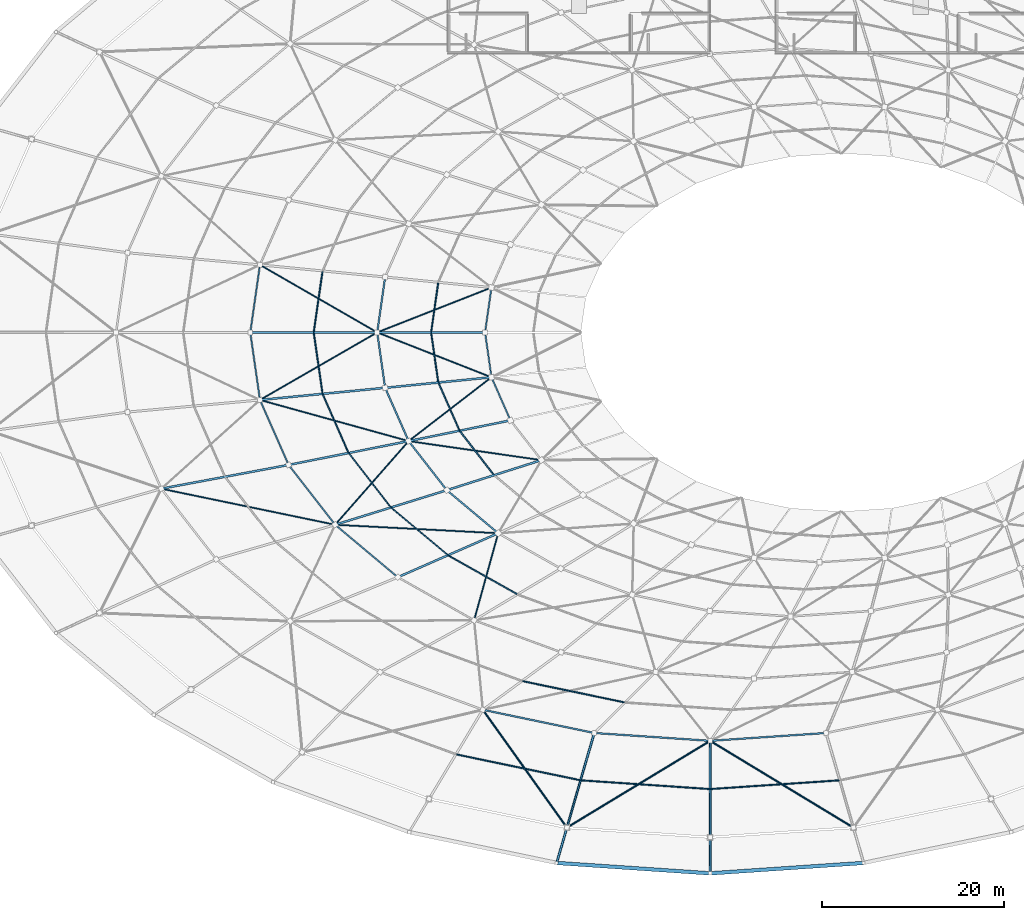
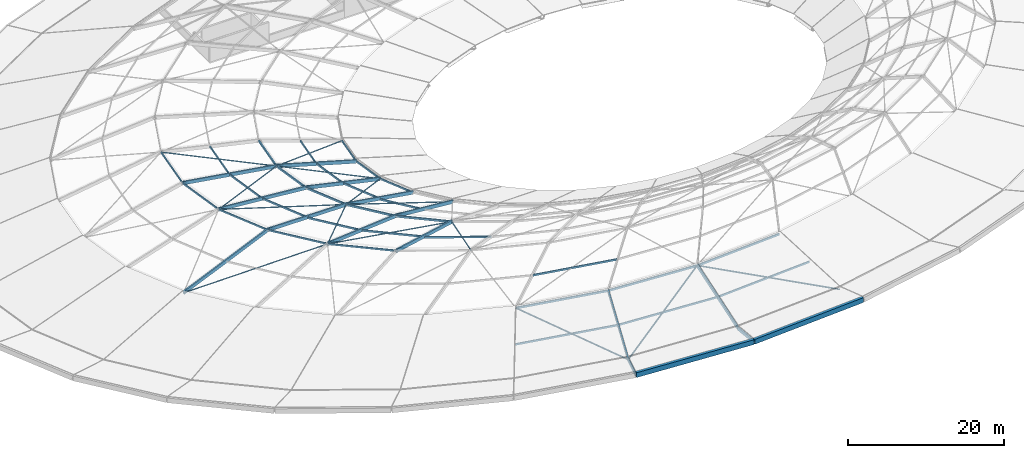
# One storey, part 2 of 30: 58 members, 2 beams.
"""IFC4 building model written with IfcOpenShell, lengths in metres."""

from ifc_helpers import new_model, si_unit, direction, frame, origin, origin_2d, place, context, subcontext, project, spatial, rectangle, hollow_rectangle, hollow_circle, extrude, material, material_profile, profile_set, type_object, element, save


model = new_model("IFC4")

# Units and contexts
model_context = context("Model", 3, precision=1e-05, world=origin(), true_north=direction((0.0, 1.0)))
body_context = subcontext(model_context, "Body", "Model", "MODEL_VIEW")
ifc_project = project(units=[si_unit("LENGTHUNIT", "METRE"), si_unit("AREAUNIT", "SQUARE_METRE"), si_unit("VOLUMEUNIT", "CUBIC_METRE"), si_unit("PLANEANGLEUNIT", "RADIAN"), si_unit("MASSUNIT", "GRAM", prefix="KILO")], contexts=[model_context])

# Site, building, storey
site_placement = place(None, origin())
site = spatial("IfcSite", under=ifc_project, at=site_placement, CompositionType="ELEMENT")
building_placement = place(site_placement, origin())
building = spatial("IfcBuilding", under=site, at=building_placement, Name="Namkhue Oval Health Centre", CompositionType="ELEMENT")
storey_placement = place(building_placement, frame((0.0, 0.0, 26.39990234375)))
storey = spatial("IfcBuildingStorey", under=building, at=storey_placement, Name="RF", CompositionType="ELEMENT", Elevation=26.39990234375)

# Beams
ifc_material_1 = material(Name="Precast architectural concrete C35/45 (TCVN B40)", Category="concrete")
ifc_material_profile_1 = material_profile(ifc_material_1, rectangle(XDim=0.39990234375, YDim=0.75, at=origin_2d()), Name="RC 400x750")
ifc_profile_set_1 = profile_set([ifc_material_profile_1], Name="Precast architectural concrete C35/45 (TCVN B40)")
beam_type = type_object("IfcBeamType", Name="CONCRETE EDGE BAND 400X750", PredefinedType="SPANDREL", material=ifc_profile_set_1)
beam_1_placement = place(storey_placement, frame((69.583984375, 1.138671875, 0.7001953125), z_axis=(0.997715229273, -0.067559760777, 0.0), x_axis=(0.067559760777, 0.997715229273, 0.0)))
element("IfcBeam", 1, at=beam_1_placement, inside=storey, type_object=beam_type, Name="Elliptical Roof Concrete Fascia Band 24", PredefinedType="SPANDREL", context=body_context, shape_type="SweptSolid", body=[
    extrude(rectangle(XDim=0.39990234375, YDim=0.75, at=origin_2d()), origin(), (0.0, 0.0, 1.0), 16.814453125),
])
beam_2_placement = place(storey_placement, frame((86.43994140625, 0.002685546875, 0.7001953125), z_axis=(0.997715163, 0.067560739492, 0.0), x_axis=(-0.067560739492, 0.997715163, 0.0)))
element("IfcBeam", 2, at=beam_2_placement, inside=storey, type_object=beam_type, Name="Elliptical Roof Concrete Fascia Band 25", PredefinedType="SPANDREL", context=body_context, shape_type="SweptSolid", body=[
    extrude(rectangle(XDim=0.39990234375, YDim=0.75, at=origin_2d()), origin(), (0.0, 0.0, 1.0), 16.814208984375),
])

# Members
ifc_material_2 = material(Name="Structural steel EN 10025-2 S355JR (TCVN 5575:2024)", Category="steel")
ifc_material_profile_2 = material_profile(ifc_material_2, hollow_circle(Radius=0.084228515625, WallThickness=0.008056640625, at=origin_2d()), Name="CHS 168.3x8")
ifc_profile_set_2 = profile_set([ifc_material_profile_2], Name="Structural steel EN 10025-2 S355JR (TCVN 5575:2024)")
member_type_1 = type_object("IfcMemberType", Name="DIAGONAL BRACE CHS 168", PredefinedType="BRACE", material=ifc_profile_set_2)
member_1_placement = place(storey_placement, frame((26.162353515625, 42.231689453125, 3.785400390625), z_axis=(0.96461481097, -0.200015827341, 0.171790381773), x_axis=(0.203034230378, 0.979171640365, 0.0)))
element("IfcMember", 3, at=member_1_placement, inside=storey, type_object=member_type_1, Name="Gridshell Diagonal Brace K2-19", PredefinedType="BRACE", context=body_context, shape_type="SweptSolid", body=[
    extrude(hollow_circle(Radius=0.084228515625, WallThickness=0.008056640625, at=origin_2d()), origin(), (0.0, 0.0, 1.0), 19.72998046875),
])
for number, where, z_axis, x_axis, name in (
    (4, (36.9921875, 66.8017578125, 7.17578125), (0.857142443104, -0.49381288488, -0.146477530548), (0.499197227373, 0.866488388949, 0.0), "Gridshell Diagonal Brace K3-16"),
    (5, (36.9921875, 51.998291015625, 7.17578125), (0.857142443104, 0.49381288488, -0.146477530548), (-0.499197227373, 0.866488388949, 0.0), "Gridshell Diagonal Brace K3-17"),
):
    element("IfcMember", number, at=place(storey_placement, frame(where, z_axis=z_axis, x_axis=x_axis)), inside=storey, type_object=member_type_1, Name=name, PredefinedType="BRACE", context=body_context, shape_type="SweptSolid", body=[
        extrude(hollow_circle(Radius=0.084228515625, WallThickness=0.008056640625, at=origin_2d()), origin(), (0.0, 0.0, 1.0), 14.958984375),
    ])
member_2_placement = place(storey_placement, frame((36.9951171875, 51.9755859375, 7.17626953125), z_axis=(0.955760701137, -0.264448449947, -0.128796348873), x_axis=(0.266669523158, 0.963788029298, 0.0)))
element("IfcMember", 6, at=member_2_placement, inside=storey, type_object=member_type_1, Name="Gridshell Diagonal Brace K3-18", PredefinedType="BRACE", context=body_context, shape_type="SweptSolid", body=[
    extrude(hollow_circle(Radius=0.084228515625, WallThickness=0.008056640625, at=origin_2d()), origin(), (0.0, 0.0, 1.0), 17.02197265625),
])
member_3_placement = place(storey_placement, frame((45.242431640625, 38.301513671875, 7.1748046875), z_axis=(0.64952649671, 0.739430252396, -0.177082556773), x_axis=(-0.751303857929, 0.659956447852, 0.0)))
element("IfcMember", 7, at=member_3_placement, inside=storey, type_object=member_type_1, Name="Gridshell Diagonal Brace K3-19", PredefinedType="BRACE", context=body_context, shape_type="SweptSolid", body=[
    extrude(hollow_circle(Radius=0.084228515625, WallThickness=0.008056640625, at=origin_2d()), origin(), (0.0, 0.0, 1.0), 12.364013671875),
])
member_4_placement = place(storey_placement, frame((45.252685546875, 38.27783203125, 7.176513671875), z_axis=(0.991216082885, -0.051523272568, -0.121803240571), x_axis=(0.051909778984, 0.998651778572, 0.0)))
element("IfcMember", 8, at=member_4_placement, inside=storey, type_object=member_type_1, Name="Gridshell Diagonal Brace K3-20", PredefinedType="BRACE", context=body_context, shape_type="SweptSolid", body=[
    extrude(hollow_circle(Radius=0.084228515625, WallThickness=0.008056640625, at=origin_2d()), origin(), (0.0, 0.0, 1.0), 18.00146484375),
])
member_5_placement = place(storey_placement, frame((60.487060546875, 27.819091796875, 7.173583984375), z_axis=(0.260516530536, 0.940866957629, -0.216565245039), x_axis=(-0.963738252264, 0.266849360358, 0.0)))
element("IfcMember", 9, at=member_5_placement, inside=storey, type_object=member_type_1, Name="Gridshell Diagonal Brace K3-21", PredefinedType="BRACE", context=body_context, shape_type="SweptSolid", body=[
    extrude(hollow_circle(Radius=0.084228515625, WallThickness=0.008056640625, at=origin_2d()), origin(), (0.0, 0.0, 1.0), 10.0986328125),
])
for number, where, z_axis, x_axis, name in (
    (10, (49.8671875, 59.41064453125, 4.972900390625), (0.902559017702, 0.354327269751, -0.24462094243), (-0.365429459542, 0.930839035547, 0.0), "Gridshell Diagonal Brace K4-16"),
    (11, (49.8671875, 59.389404296875, 4.972900390625), (0.902559017702, -0.354327269751, -0.24462094243), (0.365429459542, 0.930839035547, 0.0), "Gridshell Diagonal Brace K4-17"),
):
    element("IfcMember", number, at=place(storey_placement, frame(where, z_axis=z_axis, x_axis=x_axis)), inside=storey, type_object=member_type_1, Name=name, PredefinedType="BRACE", context=body_context, shape_type="SweptSolid", body=[
        extrude(hollow_circle(Radius=0.084228515625, WallThickness=0.008056640625, at=origin_2d()), origin(), (0.0, 0.0, 1.0), 13.83984375),
    ])
member_6_placement = place(storey_placement, frame((53.315673828125, 47.483642578125, 4.9716796875), z_axis=(0.759403511791, 0.585378236617, -0.283969410985), x_axis=(-0.610510932695, 0.792007828913, 0.0)))
element("IfcMember", 12, at=member_6_placement, inside=storey, type_object=member_type_1, Name="Gridshell Diagonal Brace K4-18", PredefinedType="BRACE", context=body_context, shape_type="SweptSolid", body=[
    extrude(hollow_circle(Radius=0.084228515625, WallThickness=0.008056640625, at=origin_2d()), origin(), (0.0, 0.0, 1.0), 11.91357421875),
])
member_7_placement = place(storey_placement, frame((53.32177734375, 47.4619140625, 4.973388671875), z_axis=(0.964486507247, -0.138383904479, -0.224979270866), x_axis=(0.142024919211, 0.989863082615, 0.0)))
element("IfcMember", 13, at=member_7_placement, inside=storey, type_object=member_type_1, Name="Gridshell Diagonal Brace K4-19", PredefinedType="BRACE", context=body_context, shape_type="SweptSolid", body=[
    extrude(hollow_circle(Radius=0.084228515625, WallThickness=0.008056640625, at=origin_2d()), origin(), (0.0, 0.0, 1.0), 15.052490234375),
])
ifc_material_profile_3 = material_profile(ifc_material_2, hollow_circle(Radius=0.109619140625, WallThickness=0.010009765625, at=origin_2d()), Name="CHS 219.1x10")
ifc_profile_set_3 = profile_set([ifc_material_profile_3], Name="Structural steel EN 10025-2 S355JR (TCVN 5575:2024)")
member_type_2 = type_object("IfcMemberType", Name="DIAGONAL BRACE CHS 219", PredefinedType="BRACE", material=ifc_profile_set_3)
member_8_placement = place(storey_placement, frame((70.65087890625, 5.049072265625, 0.28662109375), z_axis=(-0.567118199003, 0.795073490057, 0.215023472601), x_axis=(-0.81411658814, -0.580701455926, 0.0)))
element("IfcMember", 14, at=member_8_placement, inside=storey, type_object=member_type_2, Name="Gridshell Diagonal Brace K1-23", PredefinedType="BRACE", context=body_context, shape_type="SweptSolid", body=[
    extrude(hollow_circle(Radius=0.109619140625, WallThickness=0.010009765625, at=origin_2d()), origin(), (0.0, 0.0, 1.0), 16.217041015625),
])
for number, where, z_axis, x_axis, name in (
    (15, (70.693115234375, 5.04052734375, 0.28564453125), (0.840286545616, 0.508891932751, 0.186942563471), (-0.518024262543, 0.855365923694, 0.0), "Gridshell Diagonal Brace K1-24"),
    (16, (102.10693359375, 5.04052734375, 0.28564453125), (-0.840286545616, 0.508891932751, 0.186942563471), (-0.518024262543, -0.855365923694, 0.0), "Gridshell Diagonal Brace K1-25"),
):
    element("IfcMember", number, at=place(storey_placement, frame(where, z_axis=z_axis, x_axis=x_axis)), inside=storey, type_object=member_type_2, Name=name, PredefinedType="BRACE", context=body_context, shape_type="SweptSolid", body=[
        extrude(hollow_circle(Radius=0.109619140625, WallThickness=0.010009765625, at=origin_2d()), origin(), (0.0, 0.0, 1.0), 18.662353515625),
    ])
ifc_material_3 = material(Name="Glulam timber GL28h", Category="wood")
ifc_material_profile_4 = material_profile(ifc_material_3, rectangle(XDim=0.199951171875, YDim=0.47998046875, at=origin_2d()), Name="GL28h 200x480")
ifc_profile_set_4 = profile_set([ifc_material_profile_4], Name="Glulam timber GL28h")
member_type_3 = type_object("IfcMemberType", Name="GRIDSHELL ARCH RIB GL28H 200X480", PredefinedType="USERDEFINED", material=ifc_profile_set_4)
member_9_placement = place(storey_placement, frame((70.66796875, 5.025146484375, 0.300048828125), z_axis=(0.264415561893, 0.913943197849, 0.307883487272), x_axis=(-0.960605504985, 0.277915569541, 0.0)))
element("IfcMember", 17, at=member_9_placement, inside=storey, type_object=member_type_3, Name="Gridshell Glulam Arch Rib K1-24", ObjectType="ARCH_SEGMENT", PredefinedType="USERDEFINED", context=body_context, shape_type="SweptSolid", body=[
    extrude(rectangle(XDim=0.199951171875, YDim=0.47998046875, at=origin_2d()), origin(), (0.0, 0.0, 1.0), 11.367919921875),
])
member_10_placement = place(storey_placement, frame((86.39990234375, 3.9599609375, 0.300048828125), z_axis=(0.0, 0.949513771196, 0.313725354903), x_axis=(-1.0, 0.0, 0.0)))
element("IfcMember", 18, at=member_10_placement, inside=storey, type_object=member_type_3, Name="Gridshell Glulam Arch Rib K1-25", ObjectType="ARCH_SEGMENT", PredefinedType="USERDEFINED", context=body_context, shape_type="SweptSolid", body=[
    extrude(rectangle(XDim=0.199951171875, YDim=0.47998046875, at=origin_2d()), origin(), (0.0, 0.0, 1.0), 11.15625),
])
ifc_material_profile_5 = material_profile(ifc_material_3, rectangle(XDim=0.219970703125, YDim=0.52001953125, at=origin_2d()), Name="GL28h 220x520")
ifc_profile_set_5 = profile_set([ifc_material_profile_5], Name="Glulam timber GL28h")
member_type_4 = type_object("IfcMemberType", Name="GRIDSHELL ARCH RIB GL28H 220X520", PredefinedType="USERDEFINED", material=ifc_profile_set_5)
member_11_placement = place(storey_placement, frame((35.904052734375, 59.39990234375, 7.2001953125), z_axis=(0.987765490696, 0.0, -0.155946578644), x_axis=(0.0, 1.0, 0.0)))
element("IfcMember", 19, at=member_11_placement, inside=storey, type_object=member_type_4, Name="Gridshell Glulam Arch Rib K3-17", ObjectType="ARCH_SEGMENT", PredefinedType="USERDEFINED", context=body_context, shape_type="SweptSolid", body=[
    extrude(rectangle(XDim=0.219970703125, YDim=0.52001953125, at=origin_2d()), origin(), (0.0, 0.0, 1.0), 14.108642578125),
])
member_12_placement = place(storey_placement, frame((49.840087890625, 59.39990234375, 5.0), z_axis=(0.961156622117, 0.0, -0.27600352853), x_axis=(0.0, 1.0, 0.0)))
element("IfcMember", 20, at=member_12_placement, inside=storey, type_object=member_type_4, Name="Gridshell Glulam Arch Rib K4-17", ObjectType="ARCH_SEGMENT", PredefinedType="USERDEFINED", context=body_context, shape_type="SweptSolid", body=[
    extrude(rectangle(XDim=0.219970703125, YDim=0.52001953125, at=origin_2d()), origin(), (0.0, 0.0, 1.0), 12.318359375),
])
member_13_placement = place(storey_placement, frame((36.966552734375, 51.9833984375, 7.2001953125), z_axis=(0.98293473803, 0.095308005949, -0.15733939359), x_axis=(-0.096510078646, 0.995332007282, 0.0)))
element("IfcMember", 21, at=member_13_placement, inside=storey, type_object=member_type_4, Name="Gridshell Glulam Arch Rib K3-18", ObjectType="ARCH_SEGMENT", PredefinedType="USERDEFINED", context=body_context, shape_type="SweptSolid", body=[
    extrude(rectangle(XDim=0.219970703125, YDim=0.52001953125, at=origin_2d()), origin(), (0.0, 0.0, 1.0), 13.983642578125),
])
member_14_placement = place(storey_placement, frame((50.711669921875, 53.316162109375, 5.0), z_axis=(0.955779592894, 0.094866361634, -0.278362611064), x_axis=(-0.098770147269, 0.995110274296, 0.0)))
element("IfcMember", 22, at=member_14_placement, inside=storey, type_object=member_type_4, Name="Gridshell Glulam Arch Rib K4-18", ObjectType="ARCH_SEGMENT", PredefinedType="USERDEFINED", context=body_context, shape_type="SweptSolid", body=[
    extrude(rectangle(XDim=0.219970703125, YDim=0.52001953125, at=origin_2d()), origin(), (0.0, 0.0, 1.0), 12.2138671875),
])
member_15_placement = place(storey_placement, frame((26.133544921875, 42.23779296875, 3.800048828125), z_axis=(0.956019968589, 0.17876538253, 0.232526896656), x_axis=(-0.183803441064, 0.982963018151, 0.0)))
element("IfcMember", 23, at=member_15_placement, inside=storey, type_object=member_type_4, Name="Gridshell Glulam Arch Rib K2-19", ObjectType="ARCH_SEGMENT", PredefinedType="USERDEFINED", context=body_context, shape_type="SweptSolid", body=[
    extrude(rectangle(XDim=0.219970703125, YDim=0.52001953125, at=origin_2d()), origin(), (0.0, 0.0, 1.0), 14.62255859375),
])
member_16_placement = place(storey_placement, frame((40.113037109375, 44.851806640625, 7.2001953125), z_axis=(0.967997903629, 0.192007290161, -0.161595974872), x_axis=(-0.194564450492, 0.980889736211, 0.0)))
element("IfcMember", 24, at=member_16_placement, inside=storey, type_object=member_type_4, Name="Gridshell Glulam Arch Rib K3-19", ObjectType="ARCH_SEGMENT", PredefinedType="USERDEFINED", context=body_context, shape_type="SweptSolid", body=[
    extrude(rectangle(XDim=0.219970703125, YDim=0.52001953125, at=origin_2d()), origin(), (0.0, 0.0, 1.0), 13.615478515625),
])
member_17_placement = place(storey_placement, frame((53.292724609375, 47.466064453125, 5.0), z_axis=(0.939157476467, 0.190915338807, -0.285542584924), x_axis=(-0.199209210695, 0.979956983941, 0.0)))
element("IfcMember", 25, at=member_17_placement, inside=storey, type_object=member_type_4, Name="Gridshell Glulam Arch Rib K4-19", ObjectType="ARCH_SEGMENT", PredefinedType="USERDEFINED", context=body_context, shape_type="SweptSolid", body=[
    extrude(rectangle(XDim=0.219970703125, YDim=0.52001953125, at=origin_2d()), origin(), (0.0, 0.0, 1.0), 11.90673828125),
])
member_18_placement = place(storey_placement, frame((45.22314453125, 38.279541015625, 7.2001953125), z_axis=(0.941559217839, 0.291412231091, -0.168953102586), x_axis=(-0.295662650393, 0.95529241448, 0.0)))
element("IfcMember", 26, at=member_18_placement, inside=storey, type_object=member_type_4, Name="Gridshell Glulam Arch Rib K3-20", ObjectType="ARCH_SEGMENT", PredefinedType="USERDEFINED", context=body_context, shape_type="SweptSolid", body=[
    extrude(rectangle(XDim=0.219970703125, YDim=0.52001953125, at=origin_2d()), origin(), (0.0, 0.0, 1.0), 13.0224609375),
])
member_19_placement = place(storey_placement, frame((57.484619140625, 42.074462890625, 5.0), z_axis=(0.909764726323, 0.289130297322, -0.297878857773), x_axis=(-0.302879931583, 0.953028723095, 0.0)))
element("IfcMember", 27, at=member_19_placement, inside=storey, type_object=member_type_4, Name="Gridshell Glulam Arch Rib K4-20", ObjectType="ARCH_SEGMENT", PredefinedType="USERDEFINED", context=body_context, shape_type="SweptSolid", body=[
    extrude(rectangle(XDim=0.219970703125, YDim=0.52001953125, at=origin_2d()), origin(), (0.0, 0.0, 1.0), 11.413818359375),
])
member_20_placement = place(storey_placement, frame((52.099853515625, 32.5185546875, 7.2001953125), z_axis=(0.901031823661, 0.394732621034, -0.179799362181), x_axis=(-0.401272029504, 0.915958928303, 0.0)))
element("IfcMember", 28, at=member_20_placement, inside=storey, type_object=member_type_4, Name="Gridshell Glulam Arch Rib K3-21", ObjectType="ARCH_SEGMENT", PredefinedType="USERDEFINED", context=body_context, shape_type="SweptSolid", body=[
    extrude(rectangle(XDim=0.219970703125, YDim=0.52001953125, at=origin_2d()), origin(), (0.0, 0.0, 1.0), 12.237060546875),
])
ifc_material_profile_6 = material_profile(ifc_material_3, rectangle(XDim=0.199951171875, YDim=0.47998046875, at=origin_2d()), Name="GL28h 200x480")
ifc_profile_set_6 = profile_set([ifc_material_profile_6], Name="Glulam timber GL28h")
member_type_5 = type_object("IfcMemberType", Name="GRIDSHELL CANTILEVER RIB GL28H 200X480", PredefinedType="USERDEFINED", material=ifc_profile_set_6)
member_21_placement = place(storey_placement, frame((69.544189453125, 1.141357421875, 0.7001953125), z_axis=(0.276598225901, 0.95592539162, -0.098488918586), x_axis=(-0.960595665912, 0.277949575697, 0.0)))
element("IfcMember", 29, at=member_21_placement, inside=storey, type_object=member_type_5, Name="Gridshell Glulam Arch Rib K0-24", ObjectType="ARCH_SEGMENT", PredefinedType="USERDEFINED", context=body_context, shape_type="SweptSolid", body=[
    extrude(rectangle(XDim=0.199951171875, YDim=0.47998046875, at=origin_2d()), origin(), (0.0, 0.0, 1.0), 4.062744140625),
])
member_22_placement = place(storey_placement, frame((86.39990234375, 0.0, 0.7001953125), z_axis=(0.0, 0.994933409171, -0.100536119459), x_axis=(-1.0, 0.0, 0.0)))
element("IfcMember", 30, at=member_22_placement, inside=storey, type_object=member_type_5, Name="Gridshell Glulam Arch Rib K0-25", ObjectType="ARCH_SEGMENT", PredefinedType="USERDEFINED", context=body_context, shape_type="SweptSolid", body=[
    extrude(rectangle(XDim=0.199951171875, YDim=0.47998046875, at=origin_2d()), origin(), (0.0, 0.0, 1.0), 3.980224609375),
])
ifc_material_profile_7 = material_profile(ifc_material_2, hollow_rectangle(XDim=0.14990234375, YDim=0.25, WallThickness=0.008056640625, at=origin_2d()), Name="RHS 150x250x8")
ifc_profile_set_7 = profile_set([ifc_material_profile_7], Name="Structural steel EN 10025-2 S355JR (TCVN 5575:2024)")
member_type_6 = type_object("IfcMemberType", Name="GRIDSHELL HOOP PURLIN RHS 150X250", PredefinedType="PURLIN", material=ifc_profile_set_7)
member_23_placement = place(storey_placement, frame((36.9580078125, 66.757080078125, 7.2001953125), z_axis=(-0.141806162837, -0.989894444969, 0.0), x_axis=(0.989894444969, -0.141806162837, 0.0)))
element("IfcMember", 31, at=member_23_placement, inside=storey, type_object=member_type_6, Name="Gridshell Hoop Purlin K3-16", PredefinedType="PURLIN", context=body_context, shape_type="SweptSolid", body=[
    extrude(hollow_rectangle(XDim=0.14990234375, YDim=0.25, WallThickness=0.008056640625, at=origin_2d()), origin(), (0.0, 0.0, 1.0), 7.3720703125),
])
member_24_placement = place(storey_placement, frame((35.91259765625, 59.340576171875, 7.2001953125), z_axis=(0.141801514278, -0.989895110882, 0.0), x_axis=(0.989895110882, 0.141801514278, 0.0)))
element("IfcMember", 32, at=member_24_placement, inside=storey, type_object=member_type_6, Name="Gridshell Hoop Purlin K3-17", PredefinedType="PURLIN", context=body_context, shape_type="SweptSolid", body=[
    extrude(hollow_rectangle(XDim=0.14990234375, YDim=0.25, WallThickness=0.008056640625, at=origin_2d()), origin(), (0.0, 0.0, 1.0), 7.372314453125),
])
member_25_placement = place(storey_placement, frame((36.99072265625, 51.9287109375, 7.2001953125), z_axis=(0.403663700855, -0.91490743609, 0.0), x_axis=(0.91490743609, 0.403663700855, 0.0)))
element("IfcMember", 33, at=member_25_placement, inside=storey, type_object=member_type_6, Name="Gridshell Hoop Purlin K3-18", PredefinedType="PURLIN", context=body_context, shape_type="SweptSolid", body=[
    extrude(hollow_rectangle(XDim=0.14990234375, YDim=0.25, WallThickness=0.008056640625, at=origin_2d()), origin(), (0.0, 0.0, 1.0), 7.675048828125),
])
member_26_placement = place(storey_placement, frame((40.14990234375, 44.804443359375, 7.2001953125), z_axis=(0.613810828712, -0.78945314399, 0.0), x_axis=(0.78945314399, 0.613810828712, 0.0)))
element("IfcMember", 34, at=member_26_placement, inside=storey, type_object=member_type_6, Name="Gridshell Hoop Purlin K3-19", PredefinedType="PURLIN", context=body_context, shape_type="SweptSolid", body=[
    extrude(hollow_rectangle(XDim=0.14990234375, YDim=0.25, WallThickness=0.008056640625, at=origin_2d()), origin(), (0.0, 0.0, 1.0), 8.205078125),
])
member_27_placement = place(storey_placement, frame((45.26904296875, 38.240966796875, 7.2001953125), z_axis=(0.766554610647, -0.642179125242, 0.0), x_axis=(0.642179125242, 0.766554610647, 0.0)))
element("IfcMember", 35, at=member_27_placement, inside=storey, type_object=member_type_6, Name="Gridshell Hoop Purlin K3-20", PredefinedType="PURLIN", context=body_context, shape_type="SweptSolid", body=[
    extrude(hollow_rectangle(XDim=0.14990234375, YDim=0.25, WallThickness=0.008056640625, at=origin_2d()), origin(), (0.0, 0.0, 1.0), 8.850830078125),
])
member_28_placement = place(storey_placement, frame((62.377197265625, 64.265625, 1.60009765625), z_axis=(-0.14185076709, -0.989888054214, 0.0), x_axis=(0.989888054214, -0.14185076709, 0.0)))
element("IfcMember", 36, at=member_28_placement, inside=storey, type_object=member_type_6, Name="Gridshell Hoop Purlin K5-16", PredefinedType="PURLIN", context=body_context, shape_type="SweptSolid", body=[
    extrude(hollow_rectangle(XDim=0.14990234375, YDim=0.25, WallThickness=0.008056640625, at=origin_2d()), origin(), (0.0, 0.0, 1.0), 4.855224609375),
])
member_29_placement = place(storey_placement, frame((61.6884765625, 59.340576171875, 1.60009765625), z_axis=(0.141843706761, -0.989889065932, 0.0), x_axis=(0.989889065932, 0.141843706761, 0.0)))
element("IfcMember", 37, at=member_29_placement, inside=storey, type_object=member_type_6, Name="Gridshell Hoop Purlin K5-17", PredefinedType="PURLIN", context=body_context, shape_type="SweptSolid", body=[
    extrude(hollow_rectangle(XDim=0.14990234375, YDim=0.25, WallThickness=0.008056640625, at=origin_2d()), origin(), (0.0, 0.0, 1.0), 4.85546875),
])
member_30_placement = place(storey_placement, frame((62.409912109375, 54.420166015625, 1.60009765625), z_axis=(0.403663981902, -0.91490731209, 0.0), x_axis=(0.91490731209, 0.403663981902, 0.0)))
element("IfcMember", 38, at=member_30_placement, inside=storey, type_object=member_type_6, Name="Gridshell Hoop Purlin K5-18", PredefinedType="PURLIN", context=body_context, shape_type="SweptSolid", body=[
    extrude(hollow_rectangle(XDim=0.14990234375, YDim=0.25, WallThickness=0.008056640625, at=origin_2d()), origin(), (0.0, 0.0, 1.0), 5.05615234375),
])
ifc_material_profile_8 = material_profile(ifc_material_2, hollow_rectangle(XDim=0.179931640625, YDim=0.300048828125, WallThickness=0.010009765625, at=origin_2d()), Name="RHS 180x300x10")
ifc_profile_set_8 = profile_set([ifc_material_profile_8], Name="Structural steel EN 10025-2 S355JR (TCVN 5575:2024)")
member_type_7 = type_object("IfcMemberType", Name="GRIDSHELL HOOP PURLIN RHS 180X300", PredefinedType="PURLIN", material=ifc_profile_set_8)
member_31_placement = place(storey_placement, frame((61.49560546875, 17.95458984375, 3.76611328125), z_axis=(0.978936592445, -0.204164512028, 0.0), x_axis=(0.204164512028, 0.978936592445, 0.0)))
element("IfcMember", 39, at=member_31_placement, inside=storey, type_object=member_type_7, Name="Gridshell Hoop Purlin K2-23", PredefinedType="PURLIN", context=body_context, shape_type="SweptSolid", body=[
    extrude(hollow_rectangle(XDim=0.179931640625, YDim=0.300048828125, WallThickness=0.010009765625, at=origin_2d()), origin(), (0.0, 0.0, 1.0), 12.380126953125),
])
for number, where, z_axis, x_axis, name in (
    (40, (73.733642578125, 15.41064453125, 3.75830078125), (0.997715886318, -0.067550056909, 0.0), (0.067550056909, 0.997715886318, 0.0), "Gridshell Hoop Purlin K2-24"),
    (41, (86.4599609375, 14.55712890625, 3.75048828125), (0.997715886318, 0.067550056909, 0.0), (-0.067550056909, 0.997715886318, 0.0), "Gridshell Hoop Purlin K2-25"),
):
    element("IfcMember", number, at=place(storey_placement, frame(where, z_axis=z_axis, x_axis=x_axis)), inside=storey, type_object=member_type_7, Name=name, PredefinedType="PURLIN", context=body_context, shape_type="SweptSolid", body=[
        extrude(hollow_rectangle(XDim=0.179931640625, YDim=0.300048828125, WallThickness=0.010009765625, at=origin_2d()), origin(), (0.0, 0.0, 1.0), 12.63525390625),
    ])
for number, where, z_axis, x_axis, name in (
    (42, (50.703125, 65.424560546875, 4.979736328125), (-0.14184107318, -0.989889443301, 0.0), (0.989889443301, -0.14184107318, 0.0), "Gridshell Hoop Purlin K4-16"),
    (43, (49.848388671875, 59.340576171875, 4.979736328125), (0.14184107318, -0.989889443301, 0.0), (0.989889443301, 0.14184107318, 0.0), "Gridshell Hoop Purlin K4-17"),
):
    element("IfcMember", number, at=place(storey_placement, frame(where, z_axis=z_axis, x_axis=x_axis)), inside=storey, type_object=member_type_7, Name=name, PredefinedType="PURLIN", context=body_context, shape_type="SweptSolid", body=[
        extrude(hollow_rectangle(XDim=0.179931640625, YDim=0.300048828125, WallThickness=0.010009765625, at=origin_2d()), origin(), (0.0, 0.0, 1.0), 6.026123046875),
    ])
member_32_placement = place(storey_placement, frame((50.73583984375, 53.26123046875, 4.9755859375), z_axis=(0.403674694687, -0.914902585453, 0.0), x_axis=(0.914902585453, 0.403674694687, 0.0)))
element("IfcMember", 44, at=member_32_placement, inside=storey, type_object=member_type_7, Name="Gridshell Hoop Purlin K4-18", PredefinedType="PURLIN", context=body_context, shape_type="SweptSolid", body=[
    extrude(hollow_rectangle(XDim=0.179931640625, YDim=0.300048828125, WallThickness=0.010009765625, at=origin_2d()), origin(), (0.0, 0.0, 1.0), 6.274169921875),
])
member_33_placement = place(storey_placement, frame((53.32958984375, 47.418701171875, 4.978759765625), z_axis=(0.613789452926, -0.789469763498, 0.0), x_axis=(0.789469763498, 0.613789452926, 0.0)))
element("IfcMember", 45, at=member_33_placement, inside=storey, type_object=member_type_7, Name="Gridshell Hoop Purlin K4-19", PredefinedType="PURLIN", context=body_context, shape_type="SweptSolid", body=[
    extrude(hollow_rectangle(XDim=0.179931640625, YDim=0.300048828125, WallThickness=0.010009765625, at=origin_2d()), origin(), (0.0, 0.0, 1.0), 6.70947265625),
])
member_34_placement = place(storey_placement, frame((57.530517578125, 42.035888671875, 4.97265625), z_axis=(0.766573876706, -0.642156127084, 0.0), x_axis=(0.642156127084, 0.766573876706, 0.0)))
element("IfcMember", 46, at=member_34_placement, inside=storey, type_object=member_type_7, Name="Gridshell Hoop Purlin K4-20", PredefinedType="PURLIN", context=body_context, shape_type="SweptSolid", body=[
    extrude(hollow_rectangle(XDim=0.179931640625, YDim=0.300048828125, WallThickness=0.010009765625, at=origin_2d()), origin(), (0.0, 0.0, 1.0), 7.23876953125),
])
ifc_material_profile_9 = material_profile(ifc_material_3, rectangle(XDim=0.139892578125, YDim=0.280029296875, at=origin_2d()), Name="GL28h 140x280")
ifc_profile_set_9 = profile_set([ifc_material_profile_9], Name="Glulam timber GL28h")
member_type_8 = type_object("IfcMemberType", Name="GRIDSHELL SUB PURLIN GL28H 140X280", PredefinedType="PURLIN", material=ifc_profile_set_9)
member_35_placement = place(storey_placement, frame((58.56689453125, 13.05712890625, 2.04833984375), z_axis=(0.978937619666, -0.204159586607, 0.0), x_axis=(0.204159586607, 0.978937619666, 0.0)))
element("IfcMember", 47, at=member_35_placement, inside=storey, type_object=member_type_8, Name="Gridshell Secondary Purlin K1-23", PredefinedType="PURLIN", context=body_context, shape_type="SweptSolid", body=[
    extrude(rectangle(XDim=0.139892578125, YDim=0.280029296875, at=origin_2d()), origin(), (0.0, 0.0, 1.0), 13.816650390625),
])
for number, where, z_axis, x_axis, name in (
    (48, (72.250732421875, 10.214599609375, 2.047607421875), (0.997715599602, -0.067554291583, 0.0), (0.067554291583, 0.997715599602, 0.0), "Gridshell Secondary Purlin K1-24"),
    (49, (86.479736328125, 9.261962890625, 2.047607421875), (0.997715599602, 0.067554291583, 0.0), (-0.067554291583, 0.997715599602, 0.0), "Gridshell Secondary Purlin K1-25"),
):
    element("IfcMember", number, at=place(storey_placement, frame(where, z_axis=z_axis, x_axis=x_axis)), inside=storey, type_object=member_type_8, Name=name, PredefinedType="PURLIN", context=body_context, shape_type="SweptSolid", body=[
        extrude(rectangle(XDim=0.139892578125, YDim=0.280029296875, at=origin_2d()), origin(), (0.0, 0.0, 1.0), 14.101806640625),
    ])
member_36_placement = place(storey_placement, frame((65.81640625, 21.10595703125, 5.482177734375), z_axis=(0.978939021999, -0.204152862353, 0.0), x_axis=(0.204152862353, 0.978939021999, 0.0)))
element("IfcMember", 50, at=member_36_placement, inside=storey, type_object=member_type_8, Name="Gridshell Secondary Purlin K2-23", PredefinedType="PURLIN", context=body_context, shape_type="SweptSolid", body=[
    extrude(rectangle(XDim=0.139892578125, YDim=0.280029296875, at=origin_2d()), origin(), (0.0, 0.0, 1.0), 11.38818359375),
])
for number, where, z_axis, x_axis, name in (
    (51, (43.82763671875, 66.071044921875, 6.10009765625), (-0.141811436697, -0.989893689455, 0.0), (0.989893689455, -0.141811436697, 0.0), "Gridshell Secondary Purlin K3-16"),
    (52, (42.88330078125, 59.32080078125, 6.10009765625), (0.141811436697, -0.989893689455, 0.0), (0.989893689455, 0.141811436697, 0.0), "Gridshell Secondary Purlin K3-17"),
):
    element("IfcMember", number, at=place(storey_placement, frame(where, z_axis=z_axis, x_axis=x_axis)), inside=storey, type_object=member_type_8, Name=name, PredefinedType="PURLIN", context=body_context, shape_type="SweptSolid", body=[
        extrude(rectangle(XDim=0.139892578125, YDim=0.280029296875, at=origin_2d()), origin(), (0.0, 0.0, 1.0), 6.6591796875),
    ])
member_37_placement = place(storey_placement, frame((43.871337890625, 52.57666015625, 6.10009765625), z_axis=(0.403674010348, -0.914902887398, 0.0), x_axis=(0.914902887398, 0.403674010348, 0.0)))
element("IfcMember", 53, at=member_37_placement, inside=storey, type_object=member_type_8, Name="Gridshell Secondary Purlin K3-18", PredefinedType="PURLIN", context=body_context, shape_type="SweptSolid", body=[
    extrude(rectangle(XDim=0.139892578125, YDim=0.280029296875, at=origin_2d()), origin(), (0.0, 0.0, 1.0), 6.9345703125),
])
member_38_placement = place(storey_placement, frame((46.752197265625, 46.095703125, 6.029052734375), z_axis=(0.613776528824, -0.789479811436, 0.0), x_axis=(0.789479811436, 0.613776528824, 0.0)))
element("IfcMember", 54, at=member_38_placement, inside=storey, type_object=member_type_8, Name="Gridshell Secondary Purlin K3-19", PredefinedType="PURLIN", context=body_context, shape_type="SweptSolid", body=[
    extrude(rectangle(XDim=0.139892578125, YDim=0.280029296875, at=origin_2d()), origin(), (0.0, 0.0, 1.0), 7.417236328125),
])
member_39_placement = place(storey_placement, frame((51.4150390625, 40.12548828125, 6.022705078125), z_axis=(0.766581343966, -0.642147212938, 0.0), x_axis=(0.642147212938, 0.766581343966, 0.0)))
element("IfcMember", 55, at=member_39_placement, inside=storey, type_object=member_type_8, Name="Gridshell Secondary Purlin K3-20", PredefinedType="PURLIN", context=body_context, shape_type="SweptSolid", body=[
    extrude(rectangle(XDim=0.139892578125, YDim=0.280029296875, at=origin_2d()), origin(), (0.0, 0.0, 1.0), 8.0048828125),
])
member_40_placement = place(storey_placement, frame((57.682373046875, 34.894287109375, 5.927001953125), z_axis=(0.870940760361, -0.491388025842, 0.0), x_axis=(0.491388025842, 0.870940760361, 0.0)))
element("IfcMember", 56, at=member_40_placement, inside=storey, type_object=member_type_8, Name="Gridshell Secondary Purlin K3-21", PredefinedType="PURLIN", context=body_context, shape_type="SweptSolid", body=[
    extrude(rectangle(XDim=0.139892578125, YDim=0.280029296875, at=origin_2d()), origin(), (0.0, 0.0, 1.0), 8.5966796875),
])
member_41_placement = place(storey_placement, frame((56.537109375, 64.8251953125, 3.29443359375), z_axis=(-0.141813740175, -0.989893359457, 0.0), x_axis=(0.989893359457, -0.141813740175, 0.0)))
element("IfcMember", 57, at=member_41_placement, inside=storey, type_object=member_type_8, Name="Gridshell Secondary Purlin K4-16", PredefinedType="PURLIN", context=body_context, shape_type="SweptSolid", body=[
    extrude(rectangle(XDim=0.139892578125, YDim=0.280029296875, at=origin_2d()), origin(), (0.0, 0.0, 1.0), 5.400634765625),
])
member_42_placement = place(storey_placement, frame((55.771240234375, 59.32080078125, 3.29443359375), z_axis=(0.141807394304, -0.989894268556, 0.0), x_axis=(0.989894268556, 0.141807394304, 0.0)))
element("IfcMember", 58, at=member_42_placement, inside=storey, type_object=member_type_8, Name="Gridshell Secondary Purlin K4-17", PredefinedType="PURLIN", context=body_context, shape_type="SweptSolid", body=[
    extrude(rectangle(XDim=0.139892578125, YDim=0.280029296875, at=origin_2d()), origin(), (0.0, 0.0, 1.0), 5.40087890625),
])
member_43_placement = place(storey_placement, frame((56.580810546875, 53.822265625, 3.291015625), z_axis=(0.403712864469, -0.914885743174, 0.0), x_axis=(0.914885743174, 0.403712864469, 0.0)))
element("IfcMember", 59, at=member_43_placement, inside=storey, type_object=member_type_8, Name="Gridshell Secondary Purlin K4-18", PredefinedType="PURLIN", context=body_context, shape_type="SweptSolid", body=[
    extrude(rectangle(XDim=0.139892578125, YDim=0.280029296875, at=origin_2d()), origin(), (0.0, 0.0, 1.0), 5.625244140625),
])
member_44_placement = place(storey_placement, frame((58.93310546875, 48.539306640625, 3.1689453125), z_axis=(0.613791769424, -0.789467962483, 0.0), x_axis=(0.789467962483, 0.613791769424, 0.0)))
element("IfcMember", 60, at=member_44_placement, inside=storey, type_object=member_type_8, Name="Gridshell Secondary Purlin K4-19", PredefinedType="PURLIN", context=body_context, shape_type="SweptSolid", body=[
    extrude(rectangle(XDim=0.139892578125, YDim=0.280029296875, at=origin_2d()), origin(), (0.0, 0.0, 1.0), 6.018798828125),
])

save(model, "model.ifc")
